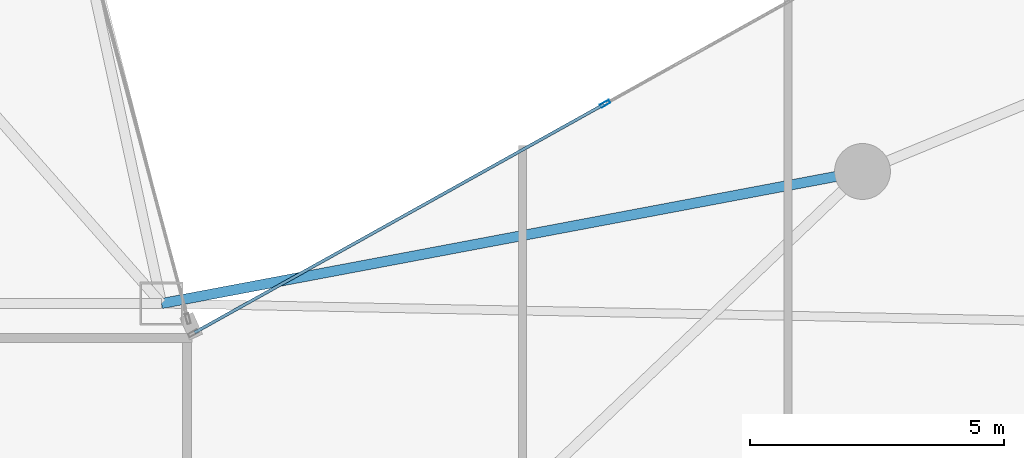
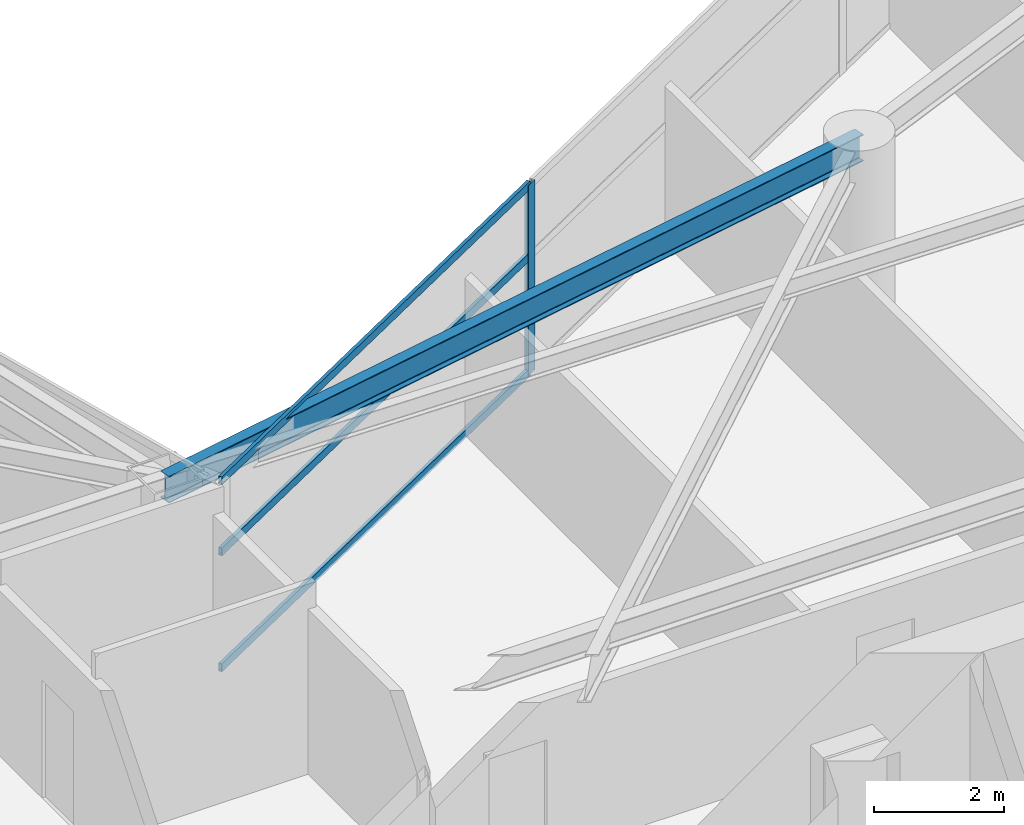
# One storey, part 11 of 29: 4 members, 1 beam, 1 element without a shape of its own.
"""IFC4 building model written with IfcOpenShell, lengths in metres."""

from ifc_helpers import new_model, si_unit, direction, frame, origin, origin_2d, place, context, subcontext, project, spatial, hollow_rectangle, i_section, extrude, material, layer, layer_set, material_profile, profile_set, type_object, element, aggregate, save


model = new_model("IFC4")

# Units and contexts
model_context = context("Model", 3, precision=1e-05, world=origin(), true_north=direction((0.0, 1.0)))
body_context = subcontext(model_context, "Body", "Model", "MODEL_VIEW")
ifc_project = project(units=[si_unit("LENGTHUNIT", "METRE"), si_unit("AREAUNIT", "SQUARE_METRE"), si_unit("VOLUMEUNIT", "CUBIC_METRE"), si_unit("PLANEANGLEUNIT", "RADIAN"), si_unit("MASSUNIT", "GRAM", prefix="KILO")], contexts=[model_context])

# Site, building, storey
site_placement = place(None, origin())
site = spatial("IfcSite", under=ifc_project, at=site_placement, CompositionType="ELEMENT")
building_placement = place(site_placement, origin())
building = spatial("IfcBuilding", under=site, at=building_placement, Name="Calvorn Quay Hotel", CompositionType="ELEMENT")
storey_placement = place(building_placement, frame((0.0, 0.0, 175.10009765625)))
storey = spatial("IfcBuildingStorey", under=building, at=storey_placement, Name="L43", CompositionType="ELEMENT", Elevation=175.10009765625)

# Beam
ifc_material_1 = material(Name="Steel Q355B", Category="steel")
ifc_material_profile_1 = material_profile(ifc_material_1, i_section(OverallWidth=0.199951171875, OverallDepth=0.5, WebThickness=0.010009765625, FlangeThickness=0.01611328125, FilletRadius=0.01611328125, at=origin_2d()), Name="HN500x200x10x16")
ifc_profile_set_1 = profile_set([ifc_material_profile_1], Name="Steel Q355B")
beam_type = type_object("IfcBeamType", Name="BM-SPANDREL-Z1", PredefinedType="SPANDREL", material=ifc_profile_set_1)
beam_placement = place(storey_placement, frame((34.800048828125, 27.60009765625, 3.289794921875), z_axis=(-0.982709432406, -0.185154452988, 0.0), x_axis=(0.185154452988, -0.982709432406, 0.0)))
element("IfcBeam", 1, at=beam_placement, inside=storey, type_object=beam_type, Name="Beam BSP-L43-E5", PredefinedType="SPANDREL", context=body_context, shape_type="SweptSolid", body=[
    extrude(i_section(OverallWidth=0.199951171875, OverallDepth=0.5, WebThickness=0.010009765625, FlangeThickness=0.01611328125, FilletRadius=0.01611328125, at=origin_2d()), origin(), (0.0, 0.0, 1.0), 14.04296875),
])

# Curtain wall, members
ifc_material_2 = material(Name="Pale Anodised Aluminium and Low-E Glass", Category="aluminium")
ifc_layer = layer(ifc_material_2, 0.219970703125)
ifc_layer_set = layer_set([ifc_layer], Name="CW-SYS-Z2")
curtain_wall_type = type_object("IfcCurtainWallType", Name="CW-SYS-Z2", PredefinedType="NOTDEFINED", material=ifc_layer_set)
curtain_wall_placement = place(storey_placement, origin())
curtain_wall = element("IfcCurtainWall", 2, at=curtain_wall_placement, inside=storey, type_object=curtain_wall_type, Name="Inner Court Curtain Wall L43-NE1", PredefinedType="NOTDEFINED")
ifc_material_3 = material(Name="Pale Anodised Aluminium 6063-T6", Category="aluminium")
ifc_material_profile_2 = material_profile(ifc_material_3, hollow_rectangle(XDim=0.070068359375, YDim=0.199951171875, WallThickness=0.00390625, at=origin_2d()), Name="ALU-M200x70x4")
ifc_profile_set_2 = profile_set([ifc_material_profile_2], Name="Pale Anodised Aluminium 6063-T6")
member_type_1 = type_object("IfcMemberType", Name="CW-SYS-Z2-MUL", PredefinedType="MULLION", material=ifc_profile_set_2)
member_1_placement = place(storey_placement, frame((29.7333984375, 28.933349609375, 0.0), z_axis=(0.0, 0.0, 1.0), x_axis=(0.486858256224, -0.873480989116, 0.0)))
member_1 = element("IfcMember", 3, at=member_1_placement, type_object=member_type_1, Name="CW-L43-NE1 mullion 3", PredefinedType="MULLION", context=body_context, shape_type="SweptSolid", body=[
    extrude(hollow_rectangle(XDim=0.070068359375, YDim=0.199951171875, WallThickness=0.00390625, at=origin_2d()), origin(), (0.0, 0.0, 1.0), 3.559814453125),
])
ifc_material_4 = material(Name="Pale Anodised Aluminium 6063-T6", Category="aluminium")
ifc_material_profile_3 = material_profile(ifc_material_4, hollow_rectangle(XDim=0.06005859375, YDim=0.14990234375, WallThickness=0.00341796875, at=origin_2d()), Name="ALU-T150x60x3.5")
ifc_profile_set_3 = profile_set([ifc_material_profile_3], Name="Pale Anodised Aluminium 6063-T6")
member_type_2 = type_object("IfcMemberType", Name="CW-SYS-Z2-TRN", PredefinedType="USERDEFINED", material=ifc_profile_set_3)
member_2_placement = place(storey_placement, frame((29.70703125, 28.918701171875, 0.02978515625), z_axis=(-0.87348080454, -0.486858587375, 0.0), x_axis=(0.486858587375, -0.87348080454, 0.0)))
member_2 = element("IfcMember", 4, at=member_2_placement, type_object=member_type_2, Name="CW-L43-NE1 transom 3.1", ObjectType="TRANSOM", PredefinedType="USERDEFINED", context=body_context, shape_type="SweptSolid", body=[
    extrude(hollow_rectangle(XDim=0.06005859375, YDim=0.14990234375, WallThickness=0.00341796875, at=origin_2d()), origin(), (0.0, 0.0, 1.0), 9.221435546875),
])
member_3_placement = place(storey_placement, frame((29.70703125, 28.918701171875, 2.199951171875), z_axis=(-0.87348080454, -0.486858587375, 0.0), x_axis=(0.486858587375, -0.87348080454, 0.0)))
member_3 = element("IfcMember", 5, at=member_3_placement, type_object=member_type_2, Name="CW-L43-NE1 transom 3.2", ObjectType="TRANSOM", PredefinedType="USERDEFINED", context=body_context, shape_type="SweptSolid", body=[
    extrude(hollow_rectangle(XDim=0.06005859375, YDim=0.14990234375, WallThickness=0.00341796875, at=origin_2d()), origin(), (0.0, 0.0, 1.0), 9.221435546875),
])
member_4_placement = place(storey_placement, frame((29.70703125, 28.918701171875, 3.52978515625), z_axis=(-0.87348080454, -0.486858587375, 0.0), x_axis=(0.486858587375, -0.87348080454, 0.0)))
member_4 = element("IfcMember", 6, at=member_4_placement, type_object=member_type_2, Name="CW-L43-NE1 transom 3.3", ObjectType="TRANSOM", PredefinedType="USERDEFINED", context=body_context, shape_type="SweptSolid", body=[
    extrude(hollow_rectangle(XDim=0.06005859375, YDim=0.14990234375, WallThickness=0.00341796875, at=origin_2d()), origin(), (0.0, 0.0, 1.0), 9.221435546875),
])
aggregate(curtain_wall, [member_1, member_2, member_3, member_4])

save(model, "model.ifc")
